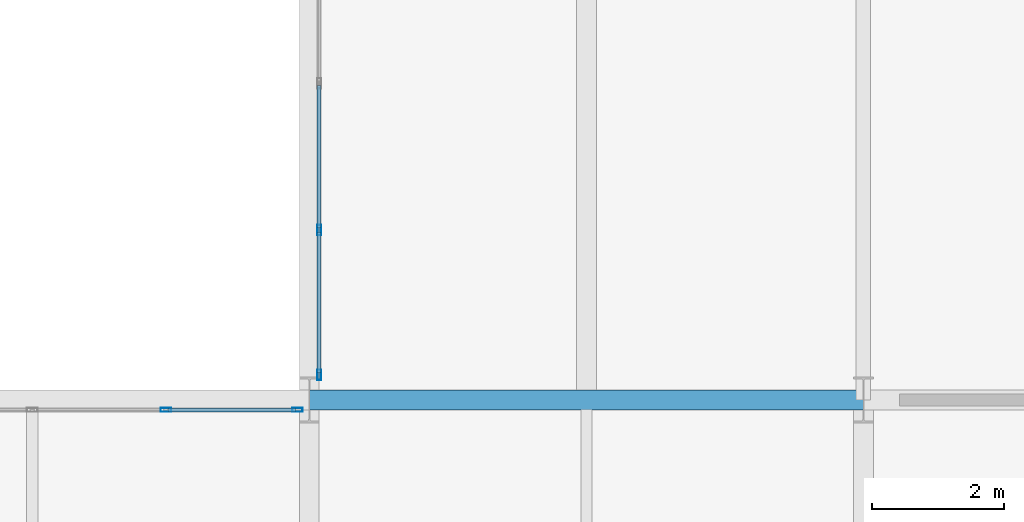
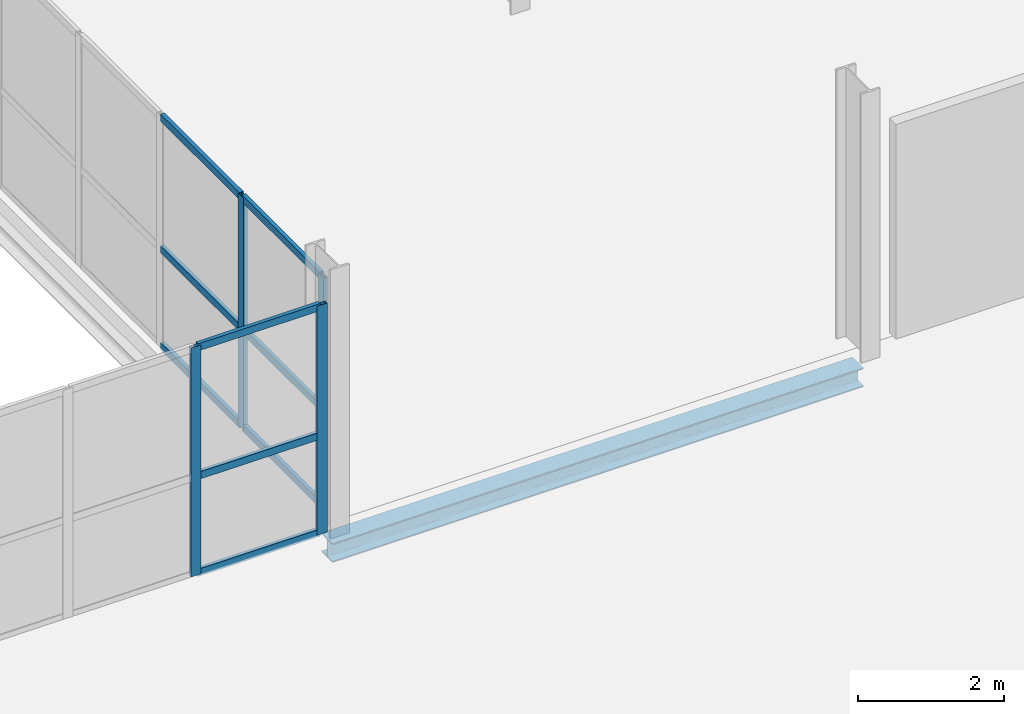
# One storey, part 50 of 113: 13 members, 1 beam, 2 elements without a shape of their own.
"""IFC4 building model written with IfcOpenShell, lengths in metres."""

from ifc_helpers import new_model, si_unit, direction, frame, origin, origin_2d, place, context, subcontext, project, spatial, hollow_rectangle, i_section, extrude, material, material_profile, profile_set, type_object, element, aggregate, save


model = new_model("IFC4")

# Units and contexts
model_context = context("Model", 3, precision=1e-05, world=origin(), true_north=direction((0.0, 1.0)))
body_context = subcontext(model_context, "Body", "Model", "MODEL_VIEW")
ifc_project = project(units=[si_unit("LENGTHUNIT", "METRE"), si_unit("AREAUNIT", "SQUARE_METRE"), si_unit("VOLUMEUNIT", "CUBIC_METRE"), si_unit("PLANEANGLEUNIT", "RADIAN"), si_unit("MASSUNIT", "GRAM", prefix="KILO")], contexts=[model_context])

# Site, building, storey
site_placement = place(None, origin())
site = spatial("IfcSite", under=ifc_project, at=site_placement, CompositionType="ELEMENT")
building_placement = place(site_placement, origin())
building = spatial("IfcBuilding", under=site, at=building_placement, Name="Veltarok Museum of Natural Sciences", CompositionType="ELEMENT")
storey_placement = place(building_placement, frame((0.0, 0.0, 8.39990234375)))
storey = spatial("IfcBuildingStorey", under=building, at=storey_placement, Name="L01", CompositionType="ELEMENT", Elevation=8.39990234375)

# Curtain wall, members
ifc_material_1 = material(Name="Low-iron triple insulated glass", Category="glass")
curtain_wall_type_1 = type_object("IfcCurtainWallType", Name="Curtain Wall System CW-V2NH-L01-1-810x383 (CW-V2NH L01 810x383cm)", PredefinedType="NOTDEFINED", material=ifc_material_1)
curtain_wall_1_placement = place(storey_placement, origin())
curtain_wall_1 = element("IfcCurtainWall", 1, at=curtain_wall_1_placement, inside=storey, type_object=curtain_wall_type_1, Name="Curtain Wall CW-V2NH-L01-1-810x383 CW-0153", PredefinedType="NOTDEFINED")
ifc_material_2 = material(Name="Thermally broken anodised aluminium", Category="aluminium")
ifc_material_profile_1 = material_profile(ifc_material_2, hollow_rectangle(XDim=0.06005859375, YDim=0.1201171875, WallThickness=0.0048828125, at=origin_2d()), Name="CW TRANSOM 60x120x5")
ifc_profile_set_1 = profile_set([ifc_material_profile_1], Name="Thermally broken anodised aluminium")
member_type_1 = type_object("IfcMemberType", Name="Curtain Wall Horizontal Transom 60x120x5", PredefinedType="USERDEFINED", material=ifc_profile_set_1)
member_1_placement = place(storey_placement, frame((56.590087890625, 71.85009765625, 0.028076171875), z_axis=(-1.0, 0.0, 0.0), x_axis=(0.0, -1.0, 0.0)))
member_1 = element("IfcMember", 2, at=member_1_placement, type_object=member_type_1, Name="CW-V2NH-L01-1-810x383 transom 1.1", ObjectType="TRANSOM", PredefinedType="USERDEFINED", context=body_context, shape_type="SweptSolid", body=[
    extrude(hollow_rectangle(XDim=0.06005859375, YDim=0.1201171875, WallThickness=0.0048828125, at=origin_2d()), origin(), (0.0, 0.0, 1.0), 1.93505859375),
])
member_2_placement = place(storey_placement, frame((56.590087890625, 71.85009765625, 1.648193359375), z_axis=(-1.0, 0.0, 0.0), x_axis=(0.0, -1.0, 0.0)))
member_2 = element("IfcMember", 3, at=member_2_placement, type_object=member_type_1, Name="CW-V2NH-L01-1-810x383 transom 1.2", ObjectType="TRANSOM", PredefinedType="USERDEFINED", context=body_context, shape_type="SweptSolid", body=[
    extrude(hollow_rectangle(XDim=0.06005859375, YDim=0.1201171875, WallThickness=0.0048828125, at=origin_2d()), origin(), (0.0, 0.0, 1.0), 1.93505859375),
])
member_3_placement = place(storey_placement, frame((56.590087890625, 71.85009765625, 3.800048828125), z_axis=(-1.0, 0.0, 0.0), x_axis=(0.0, -1.0, 0.0)))
member_3 = element("IfcMember", 4, at=member_3_placement, type_object=member_type_1, Name="CW-V2NH-L01-1-810x383 transom 1.3", ObjectType="TRANSOM", PredefinedType="USERDEFINED", context=body_context, shape_type="SweptSolid", body=[
    extrude(hollow_rectangle(XDim=0.06005859375, YDim=0.1201171875, WallThickness=0.0048828125, at=origin_2d()), origin(), (0.0, 0.0, 1.0), 1.93505859375),
])

curtain_wall_type_2 = type_object("IfcCurtainWallType", Name="Curtain Wall System CW-V2NPW1-L01-0-890x388 (CW-V2NPW1 L01 890x388cm)", PredefinedType="NOTDEFINED", material=ifc_material_1)
curtain_wall_2_placement = place(storey_placement, origin())
curtain_wall_2 = element("IfcCurtainWall", 5, at=curtain_wall_2_placement, inside=storey, type_object=curtain_wall_type_2, Name="Curtain Wall CW-V2NPW1-L01-0-890x388 CW-0220", PredefinedType="NOTDEFINED")
member_4_placement = place(storey_placement, frame((56.949951171875, 72.409912109375, 0.028076171875), z_axis=(0.0, 1.0, 0.0), x_axis=(-1.0, 0.0, 0.0)))
member_4 = element("IfcMember", 6, at=member_4_placement, type_object=member_type_1, Name="CW-V2NPW1-L01-0-890x388 transom 1.1", ObjectType="TRANSOM", PredefinedType="USERDEFINED", context=body_context, shape_type="SweptSolid", body=[
    extrude(hollow_rectangle(XDim=0.06005859375, YDim=0.1201171875, WallThickness=0.0048828125, at=origin_2d()), origin(), (0.0, 0.0, 1.0), 2.135009765625),
])
member_5_placement = place(storey_placement, frame((56.949951171875, 72.409912109375, 1.648193359375), z_axis=(0.0, 1.0, 0.0), x_axis=(-1.0, 0.0, 0.0)))
member_5 = element("IfcMember", 7, at=member_5_placement, type_object=member_type_1, Name="CW-V2NPW1-L01-0-890x388 transom 1.2", ObjectType="TRANSOM", PredefinedType="USERDEFINED", context=body_context, shape_type="SweptSolid", body=[
    extrude(hollow_rectangle(XDim=0.06005859375, YDim=0.1201171875, WallThickness=0.0048828125, at=origin_2d()), origin(), (0.0, 0.0, 1.0), 2.135009765625),
])
member_6_placement = place(storey_placement, frame((56.949951171875, 72.409912109375, 3.85009765625), z_axis=(0.0, 1.0, 0.0), x_axis=(-1.0, 0.0, 0.0)))
member_6 = element("IfcMember", 8, at=member_6_placement, type_object=member_type_1, Name="CW-V2NPW1-L01-0-890x388 transom 1.3", ObjectType="TRANSOM", PredefinedType="USERDEFINED", context=body_context, shape_type="SweptSolid", body=[
    extrude(hollow_rectangle(XDim=0.06005859375, YDim=0.1201171875, WallThickness=0.0048828125, at=origin_2d()), origin(), (0.0, 0.0, 1.0), 2.135009765625),
])
member_7_placement = place(storey_placement, frame((56.949951171875, 74.60498046875, 0.028076171875), z_axis=(0.0, 1.0, 0.0), x_axis=(-1.0, 0.0, 0.0)))
member_7 = element("IfcMember", 9, at=member_7_placement, type_object=member_type_1, Name="CW-V2NPW1-L01-0-890x388 transom 2.1", ObjectType="TRANSOM", PredefinedType="USERDEFINED", context=body_context, shape_type="SweptSolid", body=[
    extrude(hollow_rectangle(XDim=0.06005859375, YDim=0.1201171875, WallThickness=0.0048828125, at=origin_2d()), origin(), (0.0, 0.0, 1.0), 2.1650390625),
])
member_8_placement = place(storey_placement, frame((56.949951171875, 74.60498046875, 1.648193359375), z_axis=(0.0, 1.0, 0.0), x_axis=(-1.0, 0.0, 0.0)))
member_8 = element("IfcMember", 10, at=member_8_placement, type_object=member_type_1, Name="CW-V2NPW1-L01-0-890x388 transom 2.2", ObjectType="TRANSOM", PredefinedType="USERDEFINED", context=body_context, shape_type="SweptSolid", body=[
    extrude(hollow_rectangle(XDim=0.06005859375, YDim=0.1201171875, WallThickness=0.0048828125, at=origin_2d()), origin(), (0.0, 0.0, 1.0), 2.1650390625),
])
member_9_placement = place(storey_placement, frame((56.949951171875, 74.60498046875, 3.85009765625), z_axis=(0.0, 1.0, 0.0), x_axis=(-1.0, 0.0, 0.0)))
member_9 = element("IfcMember", 11, at=member_9_placement, type_object=member_type_1, Name="CW-V2NPW1-L01-0-890x388 transom 2.3", ObjectType="TRANSOM", PredefinedType="USERDEFINED", context=body_context, shape_type="SweptSolid", body=[
    extrude(hollow_rectangle(XDim=0.06005859375, YDim=0.1201171875, WallThickness=0.0048828125, at=origin_2d()), origin(), (0.0, 0.0, 1.0), 2.1650390625),
])

# Member
ifc_material_profile_2 = material_profile(ifc_material_2, hollow_rectangle(XDim=0.06005859375, YDim=0.159912109375, WallThickness=0.0048828125, at=origin_2d()), Name="CW MULLION 60x160x5")
ifc_profile_set_2 = profile_set([ifc_material_profile_2], Name="Thermally broken anodised aluminium")
member_type_2 = type_object("IfcMemberType", Name="Curtain Wall Vertical Mullion 60x160x5", PredefinedType="MULLION", material=ifc_profile_set_2)
member_10_placement = place(storey_placement, frame((56.6201171875, 71.85009765625, -0.001953125), z_axis=(0.0, 0.0, 1.0), x_axis=(0.0, -1.0, 0.0)))
member_10 = element("IfcMember", 12, at=member_10_placement, type_object=member_type_2, Name="CW-V2NH-L01-1-810x383 mullion 1", PredefinedType="MULLION", context=body_context, shape_type="SweptSolid", body=[
    extrude(hollow_rectangle(XDim=0.06005859375, YDim=0.159912109375, WallThickness=0.0048828125, at=origin_2d()), origin(), (0.0, 0.0, 1.0), 3.83203125),
])

member_11_placement = place(storey_placement, frame((54.625, 71.85009765625, -0.001953125), z_axis=(0.0, 0.0, 1.0), x_axis=(0.0, -1.0, 0.0)))
member_11 = element("IfcMember", 13, at=member_11_placement, type_object=member_type_2, Name="CW-V2NH-L01-1-810x383 mullion 2", PredefinedType="MULLION", context=body_context, shape_type="SweptSolid", body=[
    extrude(hollow_rectangle(XDim=0.06005859375, YDim=0.159912109375, WallThickness=0.0048828125, at=origin_2d()), origin(), (0.0, 0.0, 1.0), 3.83203125),
])

aggregate(curtain_wall_1, [member_10, member_11, member_1, member_2, member_3])

member_12_placement = place(storey_placement, frame((56.949951171875, 72.3798828125, -0.001953125), z_axis=(0.0, 0.0, 1.0), x_axis=(-1.0, 0.0, 0.0)))
member_12 = element("IfcMember", 14, at=member_12_placement, type_object=member_type_2, Name="CW-V2NPW1-L01-0-890x388 mullion 1", PredefinedType="MULLION", context=body_context, shape_type="SweptSolid", body=[
    extrude(hollow_rectangle(XDim=0.06005859375, YDim=0.159912109375, WallThickness=0.0048828125, at=origin_2d()), origin(), (0.0, 0.0, 1.0), 3.882080078125),
])

member_13_placement = place(storey_placement, frame((56.949951171875, 74.574951171875, -0.001953125), z_axis=(0.0, 0.0, 1.0), x_axis=(-1.0, 0.0, 0.0)))
member_13 = element("IfcMember", 15, at=member_13_placement, type_object=member_type_2, Name="CW-V2NPW1-L01-0-890x388 mullion 2", PredefinedType="MULLION", context=body_context, shape_type="SweptSolid", body=[
    extrude(hollow_rectangle(XDim=0.06005859375, YDim=0.159912109375, WallThickness=0.0048828125, at=origin_2d()), origin(), (0.0, 0.0, 1.0), 3.882080078125),
])

aggregate(curtain_wall_2, [member_12, member_13, member_4, member_5, member_6, member_7, member_8, member_9])

# Beam
ifc_material_3 = material(Name="Steel S355J2", Category="steel")
ifc_material_profile_3 = material_profile(ifc_material_3, i_section(OverallWidth=0.300048828125, OverallDepth=0.320068359375, WebThickness=0.011474609375, FlangeThickness=0.0205078125, FilletRadius=0.027099609375, at=origin_2d()), Name="HEB 320")
ifc_profile_set_3 = profile_set([ifc_material_profile_3], Name="Steel S355J2")
beam_type = type_object("IfcBeamType", Name="Perimeter Sawtooth Spandrel HEB 320", PredefinedType="SPANDREL", material=ifc_profile_set_3)
beam_placement = place(storey_placement, frame((56.800048828125, 72.0, -0.409912109375), z_axis=(1.0, 0.0, 0.0), x_axis=(0.0, 1.0, 0.0)))
element("IfcBeam", 16, at=beam_placement, inside=storey, type_object=beam_type, Name="Beam BM-SP06 L01 7-8/H", PredefinedType="SPANDREL", context=body_context, shape_type="SweptSolid", body=[
    extrude(i_section(OverallWidth=0.300048828125, OverallDepth=0.320068359375, WebThickness=0.011474609375, FlangeThickness=0.0205078125, FilletRadius=0.027099609375, at=origin_2d()), origin(), (0.0, 0.0, 1.0), 8.39990234375),
])

save(model, "model.ifc")
